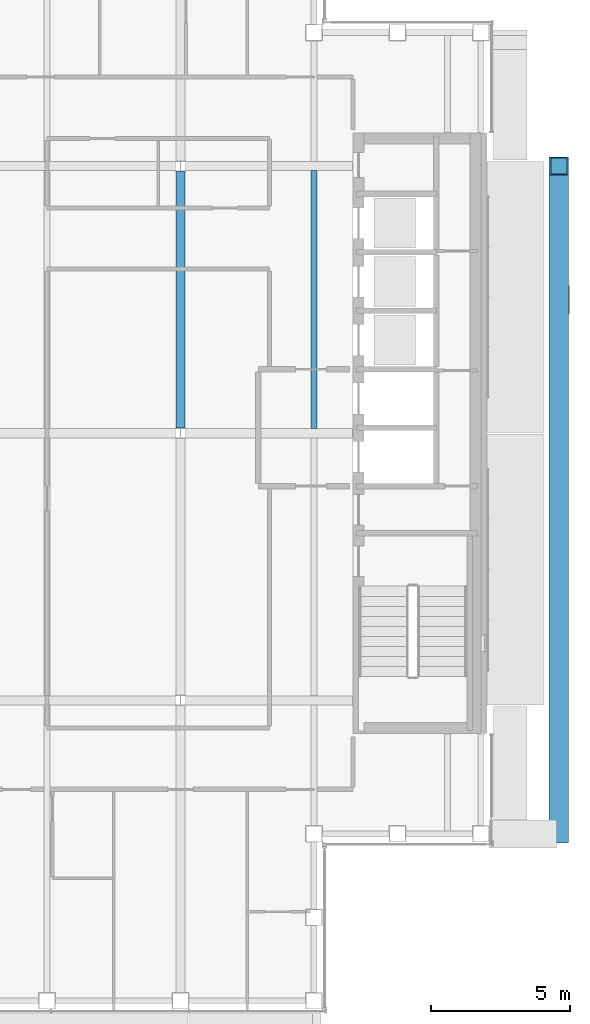
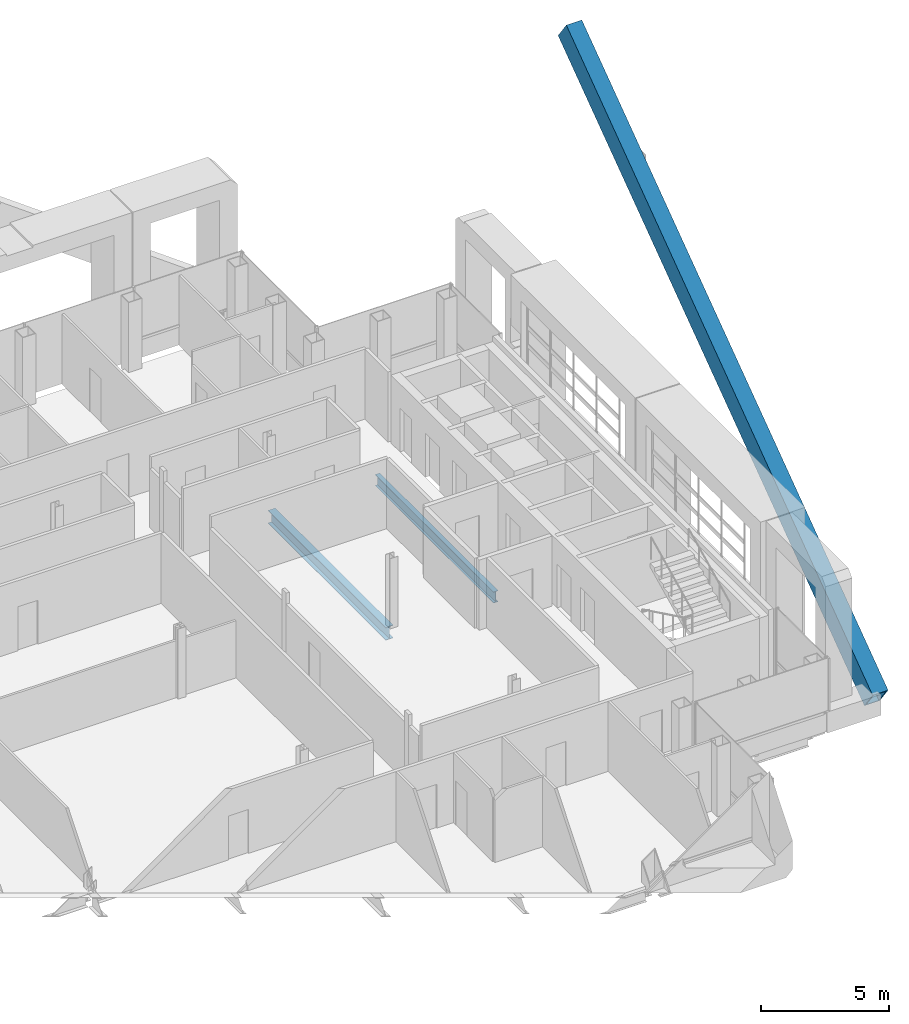
# One storey, part 7 of 23: 2 beams, 1 member.
"""IFC4 building model written with IfcOpenShell, lengths in metres."""

import ifcopenshell
import ifcopenshell.guid

model = None  # the IFC model being written
_history = None  # IfcOwnerHistory: only IFC2X3 demands one
_inside = {}  # id of a spatial element -> (the spatial element, [elements in it])
_under = {}  # id of a project, library or spatial element -> (it, [spatial elements below it])
_declared = {}  # id of a project -> (the project, [libraries it declares])
_typed = {}  # id of a type object -> (the type object, [elements of that type])
_made_of = {}  # id of a material, layer set ... -> (it, [elements and type objects made of it])


def new_model(schema):
    """Start an empty IFC model of exactly this schema.

    Asked for "IFC4X3", IfcOpenShell would pick the latest addendum, in which some entities
    have other attributes; the version numbers below select the first issue.
    IFC2X3 requires an IfcOwnerHistory on every rooted entity: one is made here for all.
    """
    global model, _history
    if schema == "IFC4X3":
        model = ifcopenshell.file(schema_version=(4, 3, 0, 0))
    else:
        model = ifcopenshell.file(schema=schema)
    _inside.clear()
    _under.clear()
    _declared.clear()
    _typed.clear()
    _made_of.clear()
    _history = None
    if model.schema == "IFC2X3":
        org = make("IfcOrganization", Name="unknown")
        user = make(
            "IfcPersonAndOrganization",
            ThePerson=make("IfcPerson", FamilyName="unknown"),
            TheOrganization=org,
        )
        app = make(
            "IfcApplication",
            ApplicationDeveloper=org,
            Version="unknown",
            ApplicationFullName="unknown",
            ApplicationIdentifier="unknown",
        )
        _history = make(
            "IfcOwnerHistory",
            OwningUser=user,
            OwningApplication=app,
            ChangeAction="ADDED",
            CreationDate=0,
        )
    return model


def make(cls, **values):
    """One entity of the class cls with the attributes given. An attribute that is None is left unset."""
    return model.create_entity(
        cls, **{name: value for name, value in values.items() if value is not None}
    )


def rooted(cls, **values):
    """An entity with a GlobalId (a new one), such as an element, a storey or a relation."""
    return make(cls, GlobalId=ifcopenshell.guid.new(), OwnerHistory=_history, **values)


def si_unit(unit_type, name, prefix=None):
    """IfcSIUnit, for example si_unit("LENGTHUNIT", "METRE", prefix="MILLI")."""
    return make("IfcSIUnit", UnitType=unit_type, Prefix=prefix, Name=name)


def assignment(units):
    """IfcUnitAssignment: the units of a project."""
    return None if units is None else make("IfcUnitAssignment", Units=units)


def point(xyz):
    """IfcCartesianPoint."""
    return None if xyz is None else make("IfcCartesianPoint", Coordinates=xyz)


def direction(xyz):
    """IfcDirection."""
    return None if xyz is None else make("IfcDirection", DirectionRatios=xyz)


def frame(location, z_axis=None, x_axis=None):
    """IfcAxis2Placement3D, a coordinate frame: its origin and axes. An axis left out is left unset."""
    return make(
        "IfcAxis2Placement3D",
        Location=point(location),
        Axis=direction(z_axis),
        RefDirection=direction(x_axis),
    )


def frame_2d(location, x_axis=None):
    """IfcAxis2Placement2D, a coordinate frame in the plane: its origin and x axis."""
    return make(
        "IfcAxis2Placement2D", Location=point(location), RefDirection=direction(x_axis)
    )


def origin():
    """The frame at (0, 0, 0) with its axes left unset."""
    return frame((0.0, 0.0, 0.0))


def origin_2d():
    """The frame at (0, 0) in the plane with its x axis left unset."""
    return frame_2d((0.0, 0.0))


def place(relative_to, where):
    """IfcLocalPlacement: puts the frame where relative to a parent placement (None: the world)."""
    return make(
        "IfcLocalPlacement", PlacementRelTo=relative_to, RelativePlacement=where
    )


def context(
    kind, dimensions, precision=None, world=None, true_north=None, identifier=None
):
    """IfcGeometricRepresentationContext, for example the 3D "Model" context."""
    return make(
        "IfcGeometricRepresentationContext",
        ContextIdentifier=identifier,
        ContextType=kind,
        CoordinateSpaceDimension=dimensions,
        Precision=precision,
        WorldCoordinateSystem=world,
        TrueNorth=true_north,
    )


def subcontext(parent, identifier, kind, view, scale=None):
    """IfcGeometricRepresentationSubContext, for example "Body" below "Model"."""
    return make(
        "IfcGeometricRepresentationSubContext",
        ContextIdentifier=identifier,
        ContextType=kind,
        ParentContext=parent,
        TargetScale=scale,
        TargetView=view,
    )


def project(units=None, contexts=None):
    """IfcProject with its units and contexts."""
    return rooted(
        "IfcProject",
        Name="project",
        RepresentationContexts=contexts,
        UnitsInContext=assignment(units),
    )


def spatial(cls, under=None, at=None, **own):
    """A site, building, storey or space (cls), placed at a placement, below another one or the project."""
    s = rooted(cls, ObjectPlacement=at, **own)
    if under is not None:
        _under.setdefault(under.id(), (under, []))[1].append(s)
    return s


def profile(cls, at=None, kind="AREA", **sizes):
    """A parametric profile (cls). Its sizes go by their IFC names, for example OverallWidth=200.0."""
    return make(cls, ProfileType=kind, Position=at, **sizes)


def hollow_rectangle(**sizes):
    """IfcRectangleHollowProfileDef."""
    return profile("IfcRectangleHollowProfileDef", **sizes)


def i_section(**sizes):
    """IfcIShapeProfileDef."""
    return profile("IfcIShapeProfileDef", **sizes)


def extrude(swept, where, along, depth):
    """IfcExtrudedAreaSolid: the profile swept, set in the frame where, extruded along a direction by depth."""
    return make(
        "IfcExtrudedAreaSolid",
        SweptArea=swept,
        Position=where,
        ExtrudedDirection=direction(along),
        Depth=depth,
    )


def shape(context_of_items, identifier, shape_type, items):
    """IfcShapeRepresentation: the items that make up one representation, for example the "Body"."""
    return make(
        "IfcShapeRepresentation",
        ContextOfItems=context_of_items,
        RepresentationIdentifier=identifier,
        RepresentationType=shape_type,
        Items=items,
    )


def material(Name=None, Category=None):
    """IfcMaterial."""
    return make("IfcMaterial", Name=Name, Category=Category)


def material_profile(
    of_material, cross_section, Name=None, Category=None, Priority=None
):
    """IfcMaterialProfile: a cross section and its material."""
    return make(
        "IfcMaterialProfile",
        Name=Name,
        Material=of_material,
        Profile=cross_section,
        Priority=Priority,
        Category=Category,
    )


def profile_set(profiles, Name=None, composite=None):
    """IfcMaterialProfileSet."""
    return make(
        "IfcMaterialProfileSet",
        Name=Name,
        MaterialProfiles=profiles,
        CompositeProfile=composite,
    )


def made_of(thing, what):
    """Note that an element or type object is made of a material, layer set ...; save() writes the relation."""
    if what is not None:
        _made_of.setdefault(what.id(), (what, []))[1].append(thing)
    return thing


def type_object(cls, material=None, **own):
    """A type object (cls), such as IfcWallType, which elements share."""
    return made_of(rooted(cls, **own), material)


def element(
    cls,
    number,
    at=None,
    inside=None,
    cuts=None,
    type_object=None,
    material=None,
    context=None,
    identifier="Body",
    shape_type=None,
    held_by="IfcProductDefinitionShape",
    body=None,
    shapes=None,
    **own,
):
    """One element of the class cls, such as IfcWall. Its Tag is "e" and its number.

    at: its placement. inside: the storey or other place that contains it. cuts: it is an
    opening in that element (IfcRelVoidsElement). A single representation is given by context,
    identifier, shape_type and body (its items); several are given by shapes. held_by: the class
    of the entity that holds the representations. save() writes the other relations.
    """
    e = rooted(cls, Tag="e%d" % number, ObjectPlacement=at, **own)
    if body is not None:
        shapes = [shape(context, identifier, shape_type, body)]
    if shapes is not None:
        e.Representation = make(held_by, Representations=shapes)
    if inside is not None:
        _inside.setdefault(inside.id(), (inside, []))[1].append(e)
    if cuts is not None:
        rooted(
            "IfcRelVoidsElement", RelatingBuildingElement=cuts, RelatedOpeningElement=e
        )
    if type_object is not None:
        _typed.setdefault(type_object.id(), (type_object, []))[1].append(e)
    return made_of(e, material)


def aggregate(whole, parts):
    """IfcRelAggregates: a whole, such as a stair, and the parts it consists of."""
    return rooted("IfcRelAggregates", RelatingObject=whole, RelatedObjects=parts)


def save(model, path):
    """Write the relations noted so far, then the file.

    IfcRelAggregates (storeys below a building ...), IfcRelContainedInSpatialStructure (elements
    in a storey), IfcRelDefinesByType, IfcRelAssociatesMaterial and IfcRelDeclares: one each for
    every whole, place, type object, material and project.
    """
    for whole, parts in _under.values():
        aggregate(whole, parts)
    for where, things in _inside.values():
        rooted(
            "IfcRelContainedInSpatialStructure",
            RelatedElements=things,
            RelatingStructure=where,
        )
    for kind, things in _typed.values():
        rooted("IfcRelDefinesByType", RelatedObjects=things, RelatingType=kind)
    for what, things in _made_of.values():
        rooted("IfcRelAssociatesMaterial", RelatedObjects=things, RelatingMaterial=what)
    for by, libraries in _declared.values():
        rooted("IfcRelDeclares", RelatingContext=by, RelatedDefinitions=libraries)
    model.write(path)


model = new_model("IFC4")

# Units and contexts
model_context = context("Model", 3, precision=1e-05, world=origin(), true_north=direction((0.0, 1.0)))
body_context = subcontext(model_context, "Body", "Model", "MODEL_VIEW")
ifc_project = project(units=[si_unit("LENGTHUNIT", "METRE"), si_unit("AREAUNIT", "SQUARE_METRE"), si_unit("VOLUMEUNIT", "CUBIC_METRE"), si_unit("PLANEANGLEUNIT", "RADIAN"), si_unit("MASSUNIT", "GRAM", prefix="KILO")], contexts=[model_context])

# Site, building, storey
site_placement = place(None, origin())
site = spatial("IfcSite", under=ifc_project, at=site_placement, CompositionType="ELEMENT")
building_placement = place(site_placement, origin())
building = spatial("IfcBuilding", under=site, at=building_placement, Name="Cobrizo Arcos Hotel Tower", CompositionType="ELEMENT")
storey_placement = place(building_placement, frame((0.0, 0.0, 255.0)))
storey = spatial("IfcBuildingStorey", under=building, at=storey_placement, Name="L67", CompositionType="ELEMENT", Elevation=255.0)

# Member
ifc_material_1 = material(Name="Steel ASTM A572 Grade 50", Category="steel")
ifc_material_profile_1 = material_profile(ifc_material_1, hollow_rectangle(XDim=0.699951171875, YDim=1.10009765625, WallThickness=0.06005859375, at=origin_2d()), Name="BOX 700X1100X60")
ifc_profile_set_1 = profile_set([ifc_material_profile_1], Name="Steel ASTM A572 Grade 50")
member_type = type_object("IfcMemberType", Name="BOX 700X1100X60 perimeter brace", PredefinedType="BRACE", material=ifc_profile_set_1)
member_placement = place(storey_placement, frame((23.199951171875, -14.39990234375, 0.5), z_axis=(0.0, 0.808007530216, 0.589172157449), x_axis=(-1.0, 0.0, 0.0)))
element("IfcMember", 1, at=member_placement, inside=storey, type_object=member_type, Name="Perimeter brace PBR5, zone Z5, east face, no. 02", PredefinedType="BRACE", context=body_context, shape_type="SweptSolid", body=[
    extrude(hollow_rectangle(XDim=0.699951171875, YDim=1.10009765625, WallThickness=0.06005859375, at=origin_2d()), origin(), (0.0, 0.0, 1.0), 29.70263671875),
])

# Beams
ifc_material_2 = material(Name="Steel ASTM A992 Grade 50", Category="steel")
ifc_material_profile_2 = material_profile(ifc_material_2, i_section(OverallWidth=0.209228515625, OverallDepth=0.533447265625, WebThickness=0.01025390625, FlangeThickness=0.015625, at=origin_2d()), Name="W21X62")
ifc_profile_set_2 = profile_set([ifc_material_profile_2], Name="Steel ASTM A992 Grade 50")
beam_type_1 = type_object("IfcBeamType", Name="W21X62 joist", PredefinedType="JOIST", material=ifc_profile_set_2)
beam_1_placement = place(storey_placement, frame((14.39990234375, 0.163818359375, -0.416748046875), z_axis=(0.0, 1.0, 0.0), x_axis=(-1.0, 0.0, 0.0)))
element("IfcBeam", 2, at=beam_1_placement, inside=storey, type_object=beam_type_1, Name="Floor joist J1, L67, no. 017", PredefinedType="JOIST", context=body_context, shape_type="SweptSolid", body=[
    extrude(i_section(OverallWidth=0.209228515625, OverallDepth=0.533447265625, WebThickness=0.01025390625, FlangeThickness=0.015625, at=origin_2d()), origin(), (0.0, 0.0, 1.0), 9.272216796875),
])
ifc_material_profile_3 = material_profile(ifc_material_2, i_section(OverallWidth=0.32763671875, OverallDepth=0.622314453125, WebThickness=0.015380859375, FlangeThickness=0.0244140625, at=origin_2d()), Name="W24X131")
ifc_profile_set_3 = profile_set([ifc_material_profile_3], Name="Steel ASTM A992 Grade 50")
beam_type_2 = type_object("IfcBeamType", Name="W24X131 girder", PredefinedType="BEAM", material=ifc_profile_set_3)
beam_2_placement = place(storey_placement, frame((9.60009765625, 0.18408203125, -0.461181640625), z_axis=(0.0, 1.0, 0.0), x_axis=(-1.0, 0.0, 0.0)))
element("IfcBeam", 3, at=beam_2_placement, inside=storey, type_object=beam_type_2, Name="Floor girder G1, L67, no. 023", PredefinedType="BEAM", context=body_context, shape_type="SweptSolid", body=[
    extrude(i_section(OverallWidth=0.32763671875, OverallDepth=0.622314453125, WebThickness=0.015380859375, FlangeThickness=0.0244140625, at=origin_2d()), origin(), (0.0, 0.0, 1.0), 9.231689453125),
])

save(model, "model.ifc")
